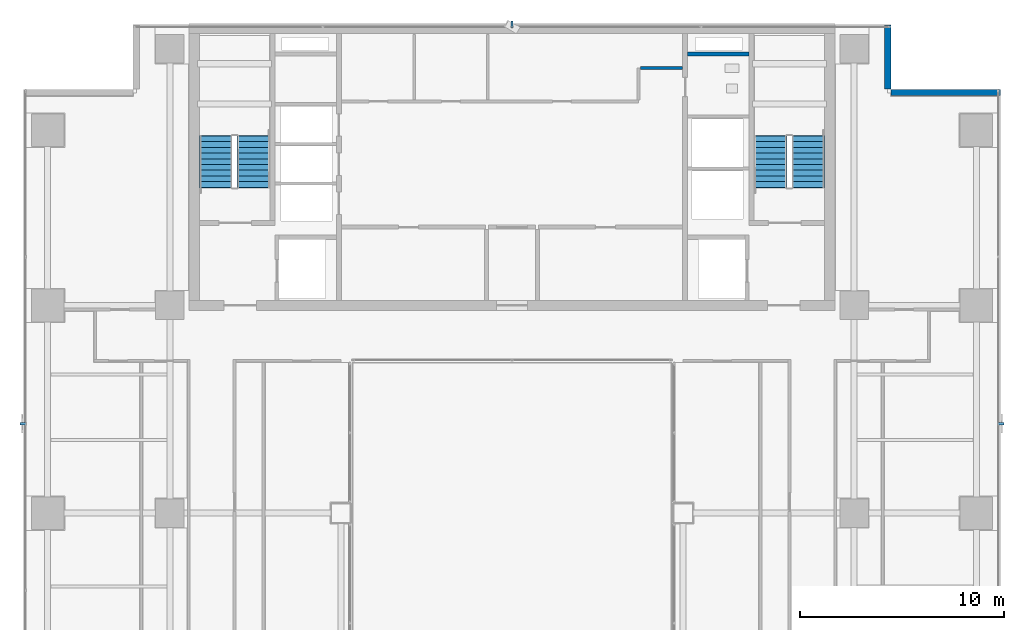
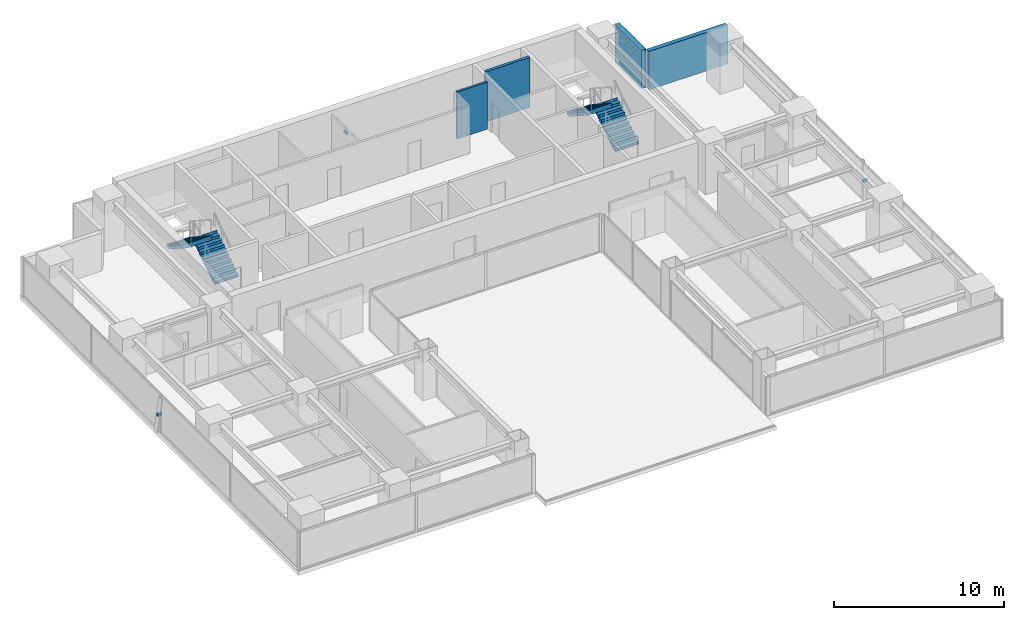
# One storey, part 26 of 30: 4 stair flights, 4 walls, 3 discrete accessories, 2 elements without a shape of their own.
"""IFC4 building model written with IfcOpenShell, lengths in metres."""

from ifc_helpers import new_model, si_unit, direction, frame, frame_2d, origin, origin_2d, place, context, subcontext, project, spatial, polyline, rectangle, outline, extrude, source, transform, mapped, material, layer, layer_set, material_profile, profile_set, type_object, element, aggregate, save


model = new_model("IFC4")

# Units and contexts
model_context = context("Model", 3, precision=1e-05, world=origin(), true_north=direction((0.0, 1.0)))
body_context = subcontext(model_context, "Body", "Model", "MODEL_VIEW")
ifc_project = project(units=[si_unit("LENGTHUNIT", "METRE"), si_unit("AREAUNIT", "SQUARE_METRE"), si_unit("VOLUMEUNIT", "CUBIC_METRE"), si_unit("PLANEANGLEUNIT", "RADIAN"), si_unit("MASSUNIT", "GRAM", prefix="KILO")], contexts=[model_context])

# Site, building, storey
site_placement = place(None, origin())
site = spatial("IfcSite", under=ifc_project, at=site_placement, CompositionType="ELEMENT")
building_placement = place(site_placement, origin())
building = spatial("IfcBuilding", under=site, at=building_placement, Name="Sumidabori Civic Tower", CompositionType="ELEMENT")
storey_placement = place(building_placement, frame((0.0, 0.0, 196.39990234375)))
storey = spatial("IfcBuildingStorey", under=building, at=storey_placement, Name="L50", CompositionType="ELEMENT", Elevation=196.39990234375)

# Walls
ifc_material_1 = material(Name="Concrete C50/60", Category="concrete")
ifc_layer_1 = layer(ifc_material_1, 0.199951171875, Name="Concrete C50/60")
ifc_layer_set_1 = layer_set([ifc_layer_1], Name="Concrete C50/60")
wall_type_1 = type_object("IfcWallType", Name="WL-SHAFT-200", PredefinedType="SHEAR", material=ifc_layer_set_1)
shared_shape_1 = source(origin(), body_context, "Body", "SweptSolid", [
    extrude(rectangle(XDim=3.02001953125, YDim=0.199951171875, at=frame_2d((1.510009765625, 0.0))), origin(), (0.0, 0.0, 1.0), 3.60009765625),
])
wall_1_placement = place(storey_placement, frame((8.625, 22.550048828125, 0.0), z_axis=(0.0, 0.0, 1.0), x_axis=(1.0, 0.0, 0.0)))
element("IfcWall", 1, at=wall_1_placement, inside=storey, type_object=wall_type_1, Name="Core Shear Wall L50 RIS2-S", PredefinedType="SHEAR", context=body_context, shape_type="MappedRepresentation", body=[
    mapped(shared_shape_1, transform((0.0, 0.0, 0.0), x_axis=(1.0, 0.0, 0.0), y_axis=(0.0, 1.0, 0.0), z_axis=(0.0, 0.0, 1.0), scale=1.0)),
])
ifc_material_2 = material(Name="Precast concrete C40/50", Category="concrete")
ifc_layer_2 = layer(ifc_material_2, 0.300048828125, Name="Precast concrete C40/50")
ifc_layer_set_2 = layer_set([ifc_layer_2], Name="Precast concrete C40/50")
wall_type_2 = type_object("IfcWallType", Name="WL-EXT-POD300", PredefinedType="STANDARD", material=ifc_layer_set_2)
shared_shape_2 = source(origin(), body_context, "Body", "SweptSolid", [
    extrude(rectangle(XDim=5.35986328125, YDim=0.300048828125, at=frame_2d((2.679931640625, 0.0))), origin(), (0.0, 0.0, 1.0), 2.760009765625),
])
wall_2_placement = place(storey_placement, frame((23.97998046875, 20.64990234375, 0.0), z_axis=(0.0, 0.0, 1.0), x_axis=(-1.0, 0.0, 0.0)))
element("IfcWall", 2, at=wall_2_placement, inside=storey, type_object=wall_type_2, Name="Notched Corner Spandrel Band L50-11", PredefinedType="STANDARD", context=body_context, shape_type="MappedRepresentation", body=[
    mapped(shared_shape_2, transform((0.0, 0.0, 0.0), x_axis=(1.0, 0.0, 0.0), y_axis=(0.0, 1.0, 0.0), z_axis=(0.0, 0.0, 1.0), scale=1.0)),
])
shared_shape_3 = source(origin(), body_context, "Body", "SweptSolid", [
    extrude(rectangle(XDim=3.159912109375, YDim=0.300048828125, at=frame_2d((1.580078125, 0.0))), origin(), (0.0, 0.0, 1.0), 2.760009765625),
])
wall_3_placement = place(storey_placement, frame((18.449951171875, 20.820068359375, 0.0), z_axis=(0.0, 0.0, 1.0), x_axis=(0.0, 1.0, 0.0)))
element("IfcWall", 3, at=wall_3_placement, inside=storey, type_object=wall_type_2, Name="Notched Corner Spandrel Band L50-12", PredefinedType="STANDARD", context=body_context, shape_type="MappedRepresentation", body=[
    mapped(shared_shape_3, transform((0.0, 0.0, 0.0), x_axis=(1.0, 0.0, 0.0), y_axis=(0.0, 1.0, 0.0), z_axis=(0.0, 0.0, 1.0), scale=1.0)),
])
ifc_material_3 = material(Name="Gypsum Plasterboard Acoustic Partition")
ifc_layer_3 = layer(ifc_material_3, 0.14990234375, Name="Gypsum Plasterboard Acoustic Partition")
ifc_layer_set_3 = layer_set([ifc_layer_3], Name="Gypsum Plasterboard Acoustic Partition")
wall_type_3 = type_object("IfcWallType", Name="WL-PART-150", PredefinedType="PARTITIONING", material=ifc_layer_set_3)
shared_shape_4 = source(origin(), body_context, "Body", "SweptSolid", [
    extrude(rectangle(XDim=2.070068359375, YDim=0.14990234375, at=frame_2d((1.03515625, 0.0))), origin(), (0.0, 0.0, 1.0), 3.380126953125),
])
wall_4_placement = place(storey_placement, frame((6.300048828125, 21.85009765625, 0.0), z_axis=(0.0, 0.0, 1.0), x_axis=(1.0, 0.0, 0.0)))
element("IfcWall", 4, at=wall_4_placement, inside=storey, type_object=wall_type_3, Name="Interior Partition WL:L50:CBAND-ME2", PredefinedType="PARTITIONING", context=body_context, shape_type="MappedRepresentation", body=[
    mapped(shared_shape_4, transform((0.0, 0.0, 0.0), x_axis=(1.0, 0.0, 0.0), y_axis=(0.0, 1.0, 0.0), z_axis=(0.0, 0.0, 1.0), scale=1.0)),
])

# Stair, stair flights
ifc_material_4 = material(Name="Concrete C40/50", Category="concrete")
stair_type = type_object("IfcStairType", Name="ST-CORE-1600", PredefinedType="HALF_TURN_STAIR", material=ifc_material_4)
stair_1_placement = place(storey_placement, origin())
stair_1 = element("IfcStair", 5, at=stair_1_placement, inside=storey, type_object=stair_type, Name="L50 ST-1", PredefinedType="HALF_TURN_STAIR")
stair_flight_type = type_object("IfcStairFlightType", Name="SF-CORE-1600", PredefinedType="STRAIGHT", material=ifc_material_4)
shared_shape_5 = source(origin(), body_context, "Body", "SweptSolid", [
    extrude(outline(polyline([(-0.02490234375, 0.0), (-0.02490234375, 0.0400390625), (0.0, 0.0400390625), (0.0, 0.179931640625), (0.280029296875, 0.179931640625), (0.280029296875, 0.360107421875), (0.56005859375, 0.360107421875), (0.56005859375, 0.5400390625), (0.840087890625, 0.5400390625), (0.840087890625, 0.719970703125), (1.1201171875, 0.719970703125), (1.1201171875, 0.89990234375), (1.39990234375, 0.89990234375), (1.39990234375, 1.080078125), (1.679931640625, 1.080078125), (1.679931640625, 1.260009765625), (1.9599609375, 1.260009765625), (1.9599609375, 1.43994140625), (2.239990234375, 1.43994140625), (2.239990234375, 1.6201171875), (2.52001953125, 1.6201171875), (2.52001953125, 1.800048828125), (2.544921875, 1.800048828125), (2.544921875, 1.650146484375), (2.52001953125, 1.44189453125), (0.277099609375, 0.0), (-0.02490234375, 0.0)])), frame((0.0, 0.800048828125, 0.0), z_axis=(0.0, -1.0, 0.0), x_axis=(1.0, 0.0, 0.0)), (0.0, 0.0, 1.0), 1.60009765625),
])
stair_flight_1_placement = place(storey_placement, frame((-12.699951171875, 16.0, 0.0), z_axis=(0.0, 0.0, 1.0), x_axis=(0.0, 1.0, 0.0)))
stair_flight_1 = element("IfcStairFlight", 6, at=stair_flight_1_placement, type_object=stair_flight_type, Name="ST-1 flight 1", NumberOfRisers=10, NumberOfTreads=9, PredefinedType="STRAIGHT", RiserHeight=0.18, TreadLength=0.28, context=body_context, shape_type="MappedRepresentation", body=[
    mapped(shared_shape_5, transform((0.0, 0.0, 0.0), x_axis=(1.0, 0.0, 0.0), y_axis=(0.0, 1.0, 0.0), z_axis=(0.0, 0.0, 1.0), scale=1.0)),
])
stair_flight_2_placement = place(storey_placement, frame((-14.5400390625, 18.52001953125, 1.800048828125), z_axis=(0.0, 0.0, 1.0), x_axis=(0.0, -1.0, 0.0)))
stair_flight_2 = element("IfcStairFlight", 7, at=stair_flight_2_placement, type_object=stair_flight_type, Name="ST-1 flight 2", NumberOfRisers=10, NumberOfTreads=9, PredefinedType="STRAIGHT", RiserHeight=0.18, TreadLength=0.28, context=body_context, shape_type="MappedRepresentation", body=[
    mapped(shared_shape_5, transform((0.0, 0.0, 0.0), x_axis=(1.0, 0.0, 0.0), y_axis=(0.0, 1.0, 0.0), z_axis=(0.0, 0.0, 1.0), scale=1.0)),
])
aggregate(stair_1, [stair_flight_1, stair_flight_2])

stair_2_placement = place(storey_placement, origin())
stair_2 = element("IfcStair", 8, at=stair_2_placement, inside=storey, type_object=stair_type, Name="L50 ST-2", PredefinedType="HALF_TURN_STAIR")
stair_flight_3_placement = place(storey_placement, frame((14.5400390625, 16.0, 0.0), z_axis=(0.0, 0.0, 1.0), x_axis=(0.0, 1.0, 0.0)))
stair_flight_3 = element("IfcStairFlight", 9, at=stair_flight_3_placement, type_object=stair_flight_type, Name="ST-2 flight 1", NumberOfRisers=10, NumberOfTreads=9, PredefinedType="STRAIGHT", RiserHeight=0.18, TreadLength=0.28, context=body_context, shape_type="MappedRepresentation", body=[
    mapped(shared_shape_5, transform((0.0, 0.0, 0.0), x_axis=(1.0, 0.0, 0.0), y_axis=(0.0, 1.0, 0.0), z_axis=(0.0, 0.0, 1.0), scale=1.0)),
])
stair_flight_4_placement = place(storey_placement, frame((12.699951171875, 18.52001953125, 1.800048828125), z_axis=(0.0, 0.0, 1.0), x_axis=(0.0, -1.0, 0.0)))
stair_flight_4 = element("IfcStairFlight", 10, at=stair_flight_4_placement, type_object=stair_flight_type, Name="ST-2 flight 2", NumberOfRisers=10, NumberOfTreads=9, PredefinedType="STRAIGHT", RiserHeight=0.18, TreadLength=0.28, context=body_context, shape_type="MappedRepresentation", body=[
    mapped(shared_shape_5, transform((0.0, 0.0, 0.0), x_axis=(1.0, 0.0, 0.0), y_axis=(0.0, 1.0, 0.0), z_axis=(0.0, 0.0, 1.0), scale=1.0)),
])
aggregate(stair_2, [stair_flight_3, stair_flight_4])

# Discrete accessories
ifc_material_5 = material(Name="Stainless Steel Hairline Finish", Category="steel")
ifc_material_profile = material_profile(ifc_material_5, rectangle(XDim=0.1201171875, YDim=0.179931640625, at=origin_2d()), Name="STEEL BRACKET 180x120")
ifc_profile_set = profile_set([ifc_material_profile], Name="Stainless Steel Hairline Finish")
discrete_accessory_type = type_object("IfcDiscreteAccessoryType", Name="AC-BRK-180", PredefinedType="BRACKET", material=ifc_profile_set)
shared_shape_6 = source(origin(), body_context, "Body", "SweptSolid", [
    extrude(rectangle(XDim=0.1201171875, YDim=0.179931640625, at=origin_2d()), origin(), (0.0, 0.0, 1.0), 0.329833984375),
])
for number, where, z_axis, x_axis, name in (
    (11, (23.830078125, 4.39990234375, 1.3701171875), (1.0, 0.0, 0.0), (0.0, 1.0, 0.0), "Bronze Fin Fixing Bracket L50-02"),
    (12, (0.0, 23.830078125, 1.3701171875), (0.0, 1.0, 0.0), (-1.0, 0.0, 0.0), "Bronze Fin Fixing Bracket L50-02"),
    (13, (-23.830078125, 4.39990234375, 1.3701171875), (-1.0, 0.0, 0.0), (0.0, -1.0, 0.0), "Bronze Fin Fixing Bracket L50-02"),
):
    element("IfcDiscreteAccessory", number, at=place(storey_placement, frame(where, z_axis=z_axis, x_axis=x_axis)), inside=storey, type_object=discrete_accessory_type, Name=name, PredefinedType="BRACKET", context=body_context, shape_type="MappedRepresentation", body=[
        mapped(shared_shape_6, transform((0.0, 0.0, 0.0), x_axis=(1.0, 0.0, 0.0), y_axis=(0.0, 1.0, 0.0), z_axis=(0.0, 0.0, 1.0), scale=1.0)),
    ])

save(model, "model.ifc")
